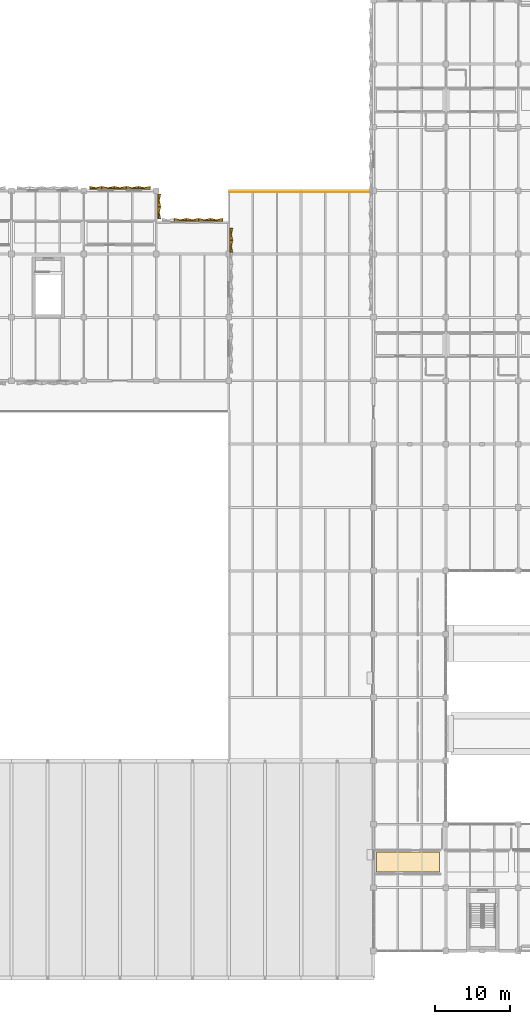
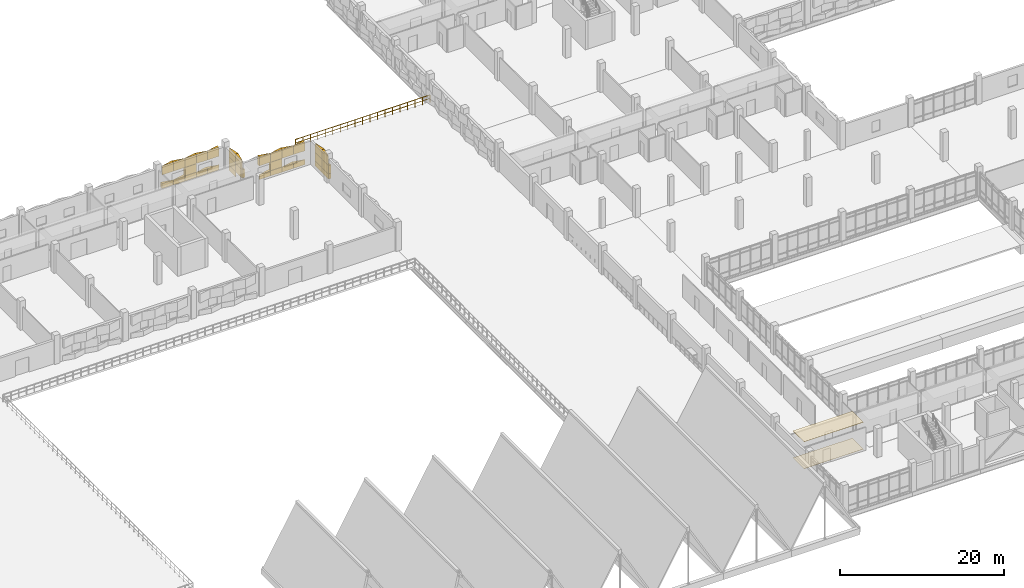
# One storey, part 77 of 86: 33 coverings, 1 railing.
"""IFC4 building model written with IfcOpenShell, lengths in metres."""

from ifc_helpers import new_model, si_unit, direction, frame, origin, origin_2d, place, context, subcontext, project, spatial, polyline, circle, outline, extrude, material, layer, layer_set, type_object, element, save


model = new_model("IFC4")

# Units and contexts
model_context = context("Model", 3, precision=1e-05, world=origin(), true_north=direction((0.0, 1.0)))
body_context = subcontext(model_context, "Body", "Model", "MODEL_VIEW")
ifc_project = project(units=[si_unit("LENGTHUNIT", "METRE"), si_unit("AREAUNIT", "SQUARE_METRE"), si_unit("VOLUMEUNIT", "CUBIC_METRE"), si_unit("PLANEANGLEUNIT", "RADIAN"), si_unit("MASSUNIT", "GRAM", prefix="KILO")], contexts=[model_context])

# Site, building, storey
site_placement = place(None, origin())
site = spatial("IfcSite", under=ifc_project, at=site_placement, CompositionType="ELEMENT")
building_placement = place(site_placement, origin())
building = spatial("IfcBuilding", under=site, at=building_placement, Name="Oolite Switchyard Hospital", CompositionType="ELEMENT")
storey_placement = place(building_placement, frame((0.0, 0.0, 13.5)))
storey = spatial("IfcBuildingStorey", under=building, at=storey_placement, Name="L03", CompositionType="ELEMENT", Elevation=13.5)

# Coverings
ifc_material_1 = material(Name="Hygienic washable mineral-fibre acoustic ceiling")
ifc_layer_1 = layer(ifc_material_1, 0.0400390625)
ifc_layer_set_1 = layer_set([ifc_layer_1], Name="COV-CEIL-AC60")
covering_type_1 = type_object("IfcCoveringType", Name="COV-CEIL-AC60", PredefinedType="CEILING", material=ifc_layer_set_1)
covering_1_placement = place(storey_placement, frame((0.0, 0.0, 3.985107421875)))
element("IfcCovering", 1, at=covering_1_placement, inside=storey, type_object=covering_type_1, Name="L03 Pediatric Outpatient Clinic Corridor Ceiling 1", PredefinedType="CEILING", context=body_context, shape_type="SweptSolid", body=[
    extrude(outline(polyline([(134.800048828125, 18.85009765625), (143.14306640625, 18.85009765625), (143.14306640625, 21.550048828125), (134.800048828125, 21.550048828125), (134.800048828125, 18.85009765625)])), origin(), (0.0, 0.0, 1.0), 0.039794921875),
])
ifc_material_2 = material(Name="Precast oolitic limestone architectural concrete C40/50", Category="masonry")
covering_type_2 = type_object("IfcCoveringType", Name="COV-CHEV-COOL", PredefinedType="CLADDING", material=ifc_material_2)
covering_2_placement = place(storey_placement, frame((108.0, 105.1298828125, 0.050048828125), z_axis=(0.0, 0.0, 1.0), x_axis=(1.0, 0.0, 0.0)))
element("IfcCovering", 2, at=covering_2_placement, inside=storey, type_object=covering_type_2, Name="L03 Chevron Precast Oolite Panel 179", PredefinedType="CLADDING", context=body_context, shape_type="SweptSolid", body=[
    extrude(outline(polyline([(0.0, 0.0), (1.60009765625, 0.0), (1.60009765625, 0.385009765625), (0.0, 0.044921875), (0.0, 0.0)])), origin(), (0.0, 0.0, 1.0), 0.760009765625),
])
covering_3_placement = place(storey_placement, frame((108.0, 105.1298828125, 2.090087890625), z_axis=(0.0, 0.0, 1.0), x_axis=(1.0, 0.0, 0.0)))
element("IfcCovering", 3, at=covering_3_placement, inside=storey, type_object=covering_type_2, Name="L03 Chevron Precast Oolite Panel 180", PredefinedType="CLADDING", context=body_context, shape_type="SweptSolid", body=[
    extrude(outline(polyline([(0.0, 0.0), (1.60009765625, 0.0), (1.60009765625, 0.044921875), (0.0, 0.385009765625), (0.0, 0.0)])), origin(), (0.0, 0.0, 1.0), 1.349853515625),
])
covering_4_placement = place(storey_placement, frame((109.60009765625, 105.1298828125, 0.050048828125), z_axis=(0.0, 0.0, 1.0), x_axis=(1.0, 0.0, 0.0)))
element("IfcCovering", 4, at=covering_4_placement, inside=storey, type_object=covering_type_2, Name="L03 Chevron Precast Oolite Panel 181", PredefinedType="CLADDING", context=body_context, shape_type="SweptSolid", body=[
    extrude(outline(polyline([(0.0, 0.0), (1.599853515625, 0.0), (1.599853515625, 0.044921875), (0.0, 0.385009765625), (0.0, 0.0)])), origin(), (0.0, 0.0, 1.0), 0.760009765625),
])
covering_5_placement = place(storey_placement, frame((109.60009765625, 105.1298828125, 2.090087890625), z_axis=(0.0, 0.0, 1.0), x_axis=(1.0, 0.0, 0.0)))
element("IfcCovering", 5, at=covering_5_placement, inside=storey, type_object=covering_type_2, Name="L03 Chevron Precast Oolite Panel 182", PredefinedType="CLADDING", context=body_context, shape_type="SweptSolid", body=[
    extrude(outline(polyline([(0.0, 0.0), (1.599853515625, 0.0), (1.599853515625, 0.385009765625), (0.0, 0.044921875), (0.0, 0.0)])), origin(), (0.0, 0.0, 1.0), 1.349853515625),
])
covering_6_placement = place(storey_placement, frame((109.60009765625, 105.1298828125, 0.830078125), z_axis=(0.0, 0.0, 1.0), x_axis=(1.0, 0.0, 0.0)))
element("IfcCovering", 6, at=covering_6_placement, inside=storey, type_object=covering_type_2, Name="L03 Chevron Precast Oolite Panel 183", PredefinedType="CLADDING", context=body_context, shape_type="SweptSolid", body=[
    extrude(outline(polyline([(0.0, 0.0), (1.599853515625, 0.0), (1.599853515625, 0.044921875), (0.0, 0.385009765625), (0.0, 0.0)])), origin(), (0.0, 0.0, 1.0), 1.239990234375),
])
covering_7_placement = place(storey_placement, frame((111.199951171875, 105.1298828125, 0.050048828125), z_axis=(0.0, 0.0, 1.0), x_axis=(1.0, 0.0, 0.0)))
element("IfcCovering", 7, at=covering_7_placement, inside=storey, type_object=covering_type_2, Name="L03 Chevron Precast Oolite Panel 184", PredefinedType="CLADDING", context=body_context, shape_type="SweptSolid", body=[
    extrude(outline(polyline([(0.0, 0.0), (1.60009765625, 0.0), (1.60009765625, 0.385009765625), (0.0, 0.044921875), (0.0, 0.0)])), origin(), (0.0, 0.0, 1.0), 0.760009765625),
])
covering_8_placement = place(storey_placement, frame((111.199951171875, 105.1298828125, 2.090087890625), z_axis=(0.0, 0.0, 1.0), x_axis=(1.0, 0.0, 0.0)))
element("IfcCovering", 8, at=covering_8_placement, inside=storey, type_object=covering_type_2, Name="L03 Chevron Precast Oolite Panel 185", PredefinedType="CLADDING", context=body_context, shape_type="SweptSolid", body=[
    extrude(outline(polyline([(0.0, 0.0), (1.60009765625, 0.0), (1.60009765625, 0.044921875), (0.0, 0.385009765625), (0.0, 0.0)])), origin(), (0.0, 0.0, 1.0), 1.349853515625),
])
covering_9_placement = place(storey_placement, frame((112.800048828125, 105.1298828125, 0.050048828125), z_axis=(0.0, 0.0, 1.0), x_axis=(1.0, 0.0, 0.0)))
element("IfcCovering", 9, at=covering_9_placement, inside=storey, type_object=covering_type_2, Name="L03 Chevron Precast Oolite Panel 186", PredefinedType="CLADDING", context=body_context, shape_type="SweptSolid", body=[
    extrude(outline(polyline([(0.0, 0.0), (1.599853515625, 0.0), (1.599853515625, 0.044921875), (0.0, 0.385009765625), (0.0, 0.0)])), origin(), (0.0, 0.0, 1.0), 0.760009765625),
])
covering_10_placement = place(storey_placement, frame((112.800048828125, 105.1298828125, 2.090087890625), z_axis=(0.0, 0.0, 1.0), x_axis=(1.0, 0.0, 0.0)))
element("IfcCovering", 10, at=covering_10_placement, inside=storey, type_object=covering_type_2, Name="L03 Chevron Precast Oolite Panel 187", PredefinedType="CLADDING", context=body_context, shape_type="SweptSolid", body=[
    extrude(outline(polyline([(0.0, 0.0), (1.599853515625, 0.0), (1.599853515625, 0.385009765625), (0.0, 0.044921875), (0.0, 0.0)])), origin(), (0.0, 0.0, 1.0), 1.349853515625),
])
covering_11_placement = place(storey_placement, frame((96.800048828125, 109.3798828125, 0.050048828125), z_axis=(0.0, 0.0, 1.0), x_axis=(1.0, 0.0, 0.0)))
element("IfcCovering", 11, at=covering_11_placement, inside=storey, type_object=covering_type_2, Name="L03 Chevron Precast Oolite Panel 232", PredefinedType="CLADDING", context=body_context, shape_type="SweptSolid", body=[
    extrude(outline(polyline([(0.0, 0.0), (1.599853515625, 0.0), (1.599853515625, 0.044921875), (0.0, 0.385009765625), (0.0, 0.0)])), origin(), (0.0, 0.0, 1.0), 0.760009765625),
])
covering_12_placement = place(storey_placement, frame((96.800048828125, 109.3798828125, 2.090087890625), z_axis=(0.0, 0.0, 1.0), x_axis=(1.0, 0.0, 0.0)))
element("IfcCovering", 12, at=covering_12_placement, inside=storey, type_object=covering_type_2, Name="L03 Chevron Precast Oolite Panel 233", PredefinedType="CLADDING", context=body_context, shape_type="SweptSolid", body=[
    extrude(outline(polyline([(0.0, 0.0), (1.599853515625, 0.0), (1.599853515625, 0.385009765625), (0.0, 0.044921875), (0.0, 0.0)])), origin(), (0.0, 0.0, 1.0), 1.349853515625),
])
covering_13_placement = place(storey_placement, frame((98.39990234375, 109.3798828125, 0.050048828125), z_axis=(0.0, 0.0, 1.0), x_axis=(1.0, 0.0, 0.0)))
element("IfcCovering", 13, at=covering_13_placement, inside=storey, type_object=covering_type_2, Name="L03 Chevron Precast Oolite Panel 234", PredefinedType="CLADDING", context=body_context, shape_type="SweptSolid", body=[
    extrude(outline(polyline([(0.0, 0.0), (1.60009765625, 0.0), (1.60009765625, 0.385009765625), (0.0, 0.044921875), (0.0, 0.0)])), origin(), (0.0, 0.0, 1.0), 0.760009765625),
])
covering_14_placement = place(storey_placement, frame((98.39990234375, 109.3798828125, 2.090087890625), z_axis=(0.0, 0.0, 1.0), x_axis=(1.0, 0.0, 0.0)))
element("IfcCovering", 14, at=covering_14_placement, inside=storey, type_object=covering_type_2, Name="L03 Chevron Precast Oolite Panel 235", PredefinedType="CLADDING", context=body_context, shape_type="SweptSolid", body=[
    extrude(outline(polyline([(0.0, 0.0), (1.60009765625, 0.0), (1.60009765625, 0.044921875), (0.0, 0.385009765625), (0.0, 0.0)])), origin(), (0.0, 0.0, 1.0), 1.349853515625),
])
covering_15_placement = place(storey_placement, frame((100.0, 109.3798828125, 0.050048828125), z_axis=(0.0, 0.0, 1.0), x_axis=(1.0, 0.0, 0.0)))
element("IfcCovering", 15, at=covering_15_placement, inside=storey, type_object=covering_type_2, Name="L03 Chevron Precast Oolite Panel 236", PredefinedType="CLADDING", context=body_context, shape_type="SweptSolid", body=[
    extrude(outline(polyline([(0.0, 0.0), (1.60009765625, 0.0), (1.60009765625, 0.044921875), (0.0, 0.385009765625), (0.0, 0.0)])), origin(), (0.0, 0.0, 1.0), 0.760009765625),
])
covering_16_placement = place(storey_placement, frame((100.0, 109.3798828125, 2.090087890625), z_axis=(0.0, 0.0, 1.0), x_axis=(1.0, 0.0, 0.0)))
element("IfcCovering", 16, at=covering_16_placement, inside=storey, type_object=covering_type_2, Name="L03 Chevron Precast Oolite Panel 237", PredefinedType="CLADDING", context=body_context, shape_type="SweptSolid", body=[
    extrude(outline(polyline([(0.0, 0.0), (1.60009765625, 0.0), (1.60009765625, 0.385009765625), (0.0, 0.044921875), (0.0, 0.0)])), origin(), (0.0, 0.0, 1.0), 1.349853515625),
])
covering_17_placement = place(storey_placement, frame((100.0, 109.3798828125, 0.830078125), z_axis=(0.0, 0.0, 1.0), x_axis=(1.0, 0.0, 0.0)))
element("IfcCovering", 17, at=covering_17_placement, inside=storey, type_object=covering_type_2, Name="L03 Chevron Precast Oolite Panel 238", PredefinedType="CLADDING", context=body_context, shape_type="SweptSolid", body=[
    extrude(outline(polyline([(0.0, 0.0), (1.60009765625, 0.0), (1.60009765625, 0.044921875), (0.0, 0.385009765625), (0.0, 0.0)])), origin(), (0.0, 0.0, 1.0), 1.239990234375),
])
covering_18_placement = place(storey_placement, frame((101.60009765625, 109.3798828125, 0.050048828125), z_axis=(0.0, 0.0, 1.0), x_axis=(1.0, 0.0, 0.0)))
element("IfcCovering", 18, at=covering_18_placement, inside=storey, type_object=covering_type_2, Name="L03 Chevron Precast Oolite Panel 239", PredefinedType="CLADDING", context=body_context, shape_type="SweptSolid", body=[
    extrude(outline(polyline([(0.0, 0.0), (1.599853515625, 0.0), (1.599853515625, 0.385009765625), (0.0, 0.044921875), (0.0, 0.0)])), origin(), (0.0, 0.0, 1.0), 0.760009765625),
])
covering_19_placement = place(storey_placement, frame((101.60009765625, 109.3798828125, 2.090087890625), z_axis=(0.0, 0.0, 1.0), x_axis=(1.0, 0.0, 0.0)))
element("IfcCovering", 19, at=covering_19_placement, inside=storey, type_object=covering_type_2, Name="L03 Chevron Precast Oolite Panel 240", PredefinedType="CLADDING", context=body_context, shape_type="SweptSolid", body=[
    extrude(outline(polyline([(0.0, 0.0), (1.599853515625, 0.0), (1.599853515625, 0.044921875), (0.0, 0.385009765625), (0.0, 0.0)])), origin(), (0.0, 0.0, 1.0), 1.349853515625),
])
covering_20_placement = place(storey_placement, frame((103.199951171875, 109.3798828125, 0.050048828125), z_axis=(0.0, 0.0, 1.0), x_axis=(1.0, 0.0, 0.0)))
element("IfcCovering", 20, at=covering_20_placement, inside=storey, type_object=covering_type_2, Name="L03 Chevron Precast Oolite Panel 241", PredefinedType="CLADDING", context=body_context, shape_type="SweptSolid", body=[
    extrude(outline(polyline([(0.0, 0.0), (1.60009765625, 0.0), (1.60009765625, 0.044921875), (0.0, 0.385009765625), (0.0, 0.0)])), origin(), (0.0, 0.0, 1.0), 0.760009765625),
])
covering_21_placement = place(storey_placement, frame((103.199951171875, 109.3798828125, 2.090087890625), z_axis=(0.0, 0.0, 1.0), x_axis=(1.0, 0.0, 0.0)))
element("IfcCovering", 21, at=covering_21_placement, inside=storey, type_object=covering_type_2, Name="L03 Chevron Precast Oolite Panel 242", PredefinedType="CLADDING", context=body_context, shape_type="SweptSolid", body=[
    extrude(outline(polyline([(0.0, 0.0), (1.60009765625, 0.0), (1.60009765625, 0.385009765625), (0.0, 0.044921875), (0.0, 0.0)])), origin(), (0.0, 0.0, 1.0), 1.349853515625),
])
covering_22_placement = place(storey_placement, frame((105.7900390625, 108.699951171875, 0.050048828125), z_axis=(0.0, 0.0, 1.0), x_axis=(0.0, -1.0, 0.0)))
element("IfcCovering", 22, at=covering_22_placement, inside=storey, type_object=covering_type_2, Name="L03 Chevron Precast Oolite Panel 429", PredefinedType="CLADDING", context=body_context, shape_type="SweptSolid", body=[
    extrude(outline(polyline([(0.0, 0.0), (1.599853515625, 0.0), (1.599853515625, 0.044921875), (0.0, 0.385009765625), (0.0, 0.0)])), origin(), (0.0, 0.0, 1.0), 0.760009765625),
])
covering_23_placement = place(storey_placement, frame((105.7900390625, 108.699951171875, 2.090087890625), z_axis=(0.0, 0.0, 1.0), x_axis=(0.0, -1.0, 0.0)))
element("IfcCovering", 23, at=covering_23_placement, inside=storey, type_object=covering_type_2, Name="L03 Chevron Precast Oolite Panel 430", PredefinedType="CLADDING", context=body_context, shape_type="SweptSolid", body=[
    extrude(outline(polyline([(0.0, 0.0), (1.599853515625, 0.0), (1.599853515625, 0.385009765625), (0.0, 0.044921875), (0.0, 0.0)])), origin(), (0.0, 0.0, 1.0), 1.349853515625),
])
covering_24_placement = place(storey_placement, frame((105.7900390625, 108.699951171875, 0.830078125), z_axis=(0.0, 0.0, 1.0), x_axis=(0.0, -1.0, 0.0)))
element("IfcCovering", 24, at=covering_24_placement, inside=storey, type_object=covering_type_2, Name="L03 Chevron Precast Oolite Panel 431", PredefinedType="CLADDING", context=body_context, shape_type="SweptSolid", body=[
    extrude(outline(polyline([(0.0, 0.0), (1.599853515625, 0.0), (1.599853515625, 0.044921875), (0.0, 0.385009765625), (0.0, 0.0)])), origin(), (0.0, 0.0, 1.0), 1.239990234375),
])
covering_25_placement = place(storey_placement, frame((105.7900390625, 107.10009765625, 2.090087890625), z_axis=(0.0, 0.0, 1.0), x_axis=(0.0, -1.0, 0.0)))
element("IfcCovering", 25, at=covering_25_placement, inside=storey, type_object=covering_type_2, Name="L03 Chevron Precast Oolite Panel 433", PredefinedType="CLADDING", context=body_context, shape_type="SweptSolid", body=[
    extrude(outline(polyline([(0.0, 0.0), (1.60009765625, 0.0), (1.60009765625, 0.044921875), (0.0, 0.385009765625), (0.0, 0.0)])), origin(), (0.0, 0.0, 1.0), 1.349853515625),
])
covering_26_placement = place(storey_placement, frame((105.7900390625, 107.10009765625, 0.830078125), z_axis=(0.0, 0.0, 1.0), x_axis=(0.0, -1.0, 0.0)))
element("IfcCovering", 26, at=covering_26_placement, inside=storey, type_object=covering_type_2, Name="L03 Chevron Precast Oolite Panel 434", PredefinedType="CLADDING", context=body_context, shape_type="SweptSolid", body=[
    extrude(outline(polyline([(0.0, 0.0), (1.60009765625, 0.0), (1.60009765625, 0.385009765625), (0.0, 0.044921875), (0.0, 0.0)])), origin(), (0.0, 0.0, 1.0), 1.239990234375),
])
covering_27_placement = place(storey_placement, frame((115.340087890625, 104.219970703125, 0.050048828125), z_axis=(0.0, 0.0, 1.0), x_axis=(0.0, -1.0, 0.0)))
element("IfcCovering", 27, at=covering_27_placement, inside=storey, type_object=covering_type_2, Name="L03 Chevron Precast Oolite Panel 445", PredefinedType="CLADDING", context=body_context, shape_type="SweptSolid", body=[
    extrude(outline(polyline([(0.0, 0.0), (1.599853515625, 0.0), (1.599853515625, 0.044921875), (0.0, 0.385009765625), (0.0, 0.0)])), origin(), (0.0, 0.0, 1.0), 0.760009765625),
])
covering_28_placement = place(storey_placement, frame((115.340087890625, 104.219970703125, 2.090087890625), z_axis=(0.0, 0.0, 1.0), x_axis=(0.0, -1.0, 0.0)))
element("IfcCovering", 28, at=covering_28_placement, inside=storey, type_object=covering_type_2, Name="L03 Chevron Precast Oolite Panel 446", PredefinedType="CLADDING", context=body_context, shape_type="SweptSolid", body=[
    extrude(outline(polyline([(0.0, 0.0), (1.599853515625, 0.0), (1.599853515625, 0.385009765625), (0.0, 0.044921875), (0.0, 0.0)])), origin(), (0.0, 0.0, 1.0), 1.349853515625),
])
covering_29_placement = place(storey_placement, frame((115.340087890625, 104.219970703125, 0.830078125), z_axis=(0.0, 0.0, 1.0), x_axis=(0.0, -1.0, 0.0)))
element("IfcCovering", 29, at=covering_29_placement, inside=storey, type_object=covering_type_2, Name="L03 Chevron Precast Oolite Panel 447", PredefinedType="CLADDING", context=body_context, shape_type="SweptSolid", body=[
    extrude(outline(polyline([(0.0, 0.0), (1.599853515625, 0.0), (1.599853515625, 0.044921875), (0.0, 0.385009765625), (0.0, 0.0)])), origin(), (0.0, 0.0, 1.0), 1.239990234375),
])
covering_30_placement = place(storey_placement, frame((115.340087890625, 102.6201171875, 0.050048828125), z_axis=(0.0, 0.0, 1.0), x_axis=(0.0, -1.0, 0.0)))
element("IfcCovering", 30, at=covering_30_placement, inside=storey, type_object=covering_type_2, Name="L03 Chevron Precast Oolite Panel 448", PredefinedType="CLADDING", context=body_context, shape_type="SweptSolid", body=[
    extrude(outline(polyline([(0.0, 0.0), (1.60009765625, 0.0), (1.60009765625, 0.385009765625), (0.0, 0.044921875), (0.0, 0.0)])), origin(), (0.0, 0.0, 1.0), 0.760009765625),
])
covering_31_placement = place(storey_placement, frame((115.340087890625, 102.6201171875, 2.090087890625), z_axis=(0.0, 0.0, 1.0), x_axis=(0.0, -1.0, 0.0)))
element("IfcCovering", 31, at=covering_31_placement, inside=storey, type_object=covering_type_2, Name="L03 Chevron Precast Oolite Panel 449", PredefinedType="CLADDING", context=body_context, shape_type="SweptSolid", body=[
    extrude(outline(polyline([(0.0, 0.0), (1.60009765625, 0.0), (1.60009765625, 0.044921875), (0.0, 0.385009765625), (0.0, 0.0)])), origin(), (0.0, 0.0, 1.0), 1.349853515625),
])
covering_32_placement = place(storey_placement, frame((115.340087890625, 102.6201171875, 0.830078125), z_axis=(0.0, 0.0, 1.0), x_axis=(0.0, -1.0, 0.0)))
element("IfcCovering", 32, at=covering_32_placement, inside=storey, type_object=covering_type_2, Name="L03 Chevron Precast Oolite Panel 450", PredefinedType="CLADDING", context=body_context, shape_type="SweptSolid", body=[
    extrude(outline(polyline([(0.0, 0.0), (1.60009765625, 0.0), (1.60009765625, 0.385009765625), (0.0, 0.044921875), (0.0, 0.0)])), origin(), (0.0, 0.0, 1.0), 1.239990234375),
])
ifc_material_3 = material(Name="Epoxy terrazzo seamless clinical flooring")
ifc_layer_2 = layer(ifc_material_3, 0.02001953125)
ifc_layer_set_2 = layer_set([ifc_layer_2], Name="COV-FLR-TER20")
covering_type_3 = type_object("IfcCoveringType", Name="COV-FLR-TER20", PredefinedType="FLOORING", material=ifc_layer_set_2)
covering_33_placement = place(storey_placement, origin())
element("IfcCovering", 33, at=covering_33_placement, inside=storey, type_object=covering_type_3, Name="L03 Pediatric Outpatient Clinic Corridor Flooring 1", PredefinedType="FLOORING", context=body_context, shape_type="SweptSolid", body=[
    extrude(outline(polyline([(134.800048828125, 18.85009765625), (143.14306640625, 18.85009765625), (143.14306640625, 21.550048828125), (134.800048828125, 21.550048828125), (134.800048828125, 18.85009765625)])), origin(), (0.0, 0.0, 1.0), 0.02001953125),
])

# Railing
ifc_material_4 = material(Name="Galvanized painted architectural steel guardrail", Category="steel")
railing_type = type_object("IfcRailingType", Name="RL-GUARD-110", PredefinedType="GUARDRAIL", material=ifc_material_4)
railing_placement = place(storey_placement, frame((115.35009765625, 109.050048828125, 0.0)))
element("IfcRailing", 34, at=railing_placement, inside=storey, type_object=railing_type, Name="L03 Terrace Perimeter Guard 7", PredefinedType="GUARDRAIL", context=body_context, shape_type="SweptSolid", body=[
    extrude(circle(Radius=0.02392578125, at=origin_2d()), frame((0.0, 0.0, 1.076171875), z_axis=(1.0, 0.0, 0.0), x_axis=(0.0, 1.0, 0.0)), (0.0, 0.0, 1.0), 18.89990234375),
    extrude(circle(Radius=0.015625, at=origin_2d()), frame((0.0, 0.0, 0.550048828125), z_axis=(1.0, 0.0, 0.0), x_axis=(0.0, 1.0, 0.0)), (0.0, 0.0, 1.0), 18.89990234375),
    extrude(circle(Radius=0.02099609375, at=origin_2d()), origin(), (0.0, 0.0, 1.0), 1.052001953125),
    extrude(circle(Radius=0.02099609375, at=origin_2d()), frame((1.050048828125, 0.0, 0.0)), (0.0, 0.0, 1.0), 1.052001953125),
    extrude(circle(Radius=0.02099609375, at=origin_2d()), frame((2.10009765625, 0.0, 0.0)), (0.0, 0.0, 1.0), 1.052001953125),
    extrude(circle(Radius=0.02099609375, at=origin_2d()), frame((3.14990234375, 0.0, 0.0)), (0.0, 0.0, 1.0), 1.052001953125),
    extrude(circle(Radius=0.02099609375, at=origin_2d()), frame((4.199951171875, 0.0, 0.0)), (0.0, 0.0, 1.0), 1.052001953125),
    extrude(circle(Radius=0.02099609375, at=origin_2d()), frame((5.25, 0.0, 0.0)), (0.0, 0.0, 1.0), 1.052001953125),
    extrude(circle(Radius=0.02099609375, at=origin_2d()), frame((6.300048828125, 0.0, 0.0)), (0.0, 0.0, 1.0), 1.052001953125),
    extrude(circle(Radius=0.02099609375, at=origin_2d()), frame((7.349853515625, 0.0, 0.0)), (0.0, 0.0, 1.0), 1.052001953125),
    extrude(circle(Radius=0.02099609375, at=origin_2d()), frame((8.39990234375, 0.0, 0.0)), (0.0, 0.0, 1.0), 1.052001953125),
    extrude(circle(Radius=0.02099609375, at=origin_2d()), frame((9.449951171875, 0.0, 0.0)), (0.0, 0.0, 1.0), 1.052001953125),
    extrude(circle(Radius=0.02099609375, at=origin_2d()), frame((10.5, 0.0, 0.0)), (0.0, 0.0, 1.0), 1.052001953125),
    extrude(circle(Radius=0.02099609375, at=origin_2d()), frame((11.550048828125, 0.0, 0.0)), (0.0, 0.0, 1.0), 1.052001953125),
    extrude(circle(Radius=0.02099609375, at=origin_2d()), frame((12.599853515625, 0.0, 0.0)), (0.0, 0.0, 1.0), 1.052001953125),
    extrude(circle(Radius=0.02099609375, at=origin_2d()), frame((13.64990234375, 0.0, 0.0)), (0.0, 0.0, 1.0), 1.052001953125),
    extrude(circle(Radius=0.02099609375, at=origin_2d()), frame((14.699951171875, 0.0, 0.0)), (0.0, 0.0, 1.0), 1.052001953125),
    extrude(circle(Radius=0.02099609375, at=origin_2d()), frame((15.75, 0.0, 0.0)), (0.0, 0.0, 1.0), 1.052001953125),
    extrude(circle(Radius=0.02099609375, at=origin_2d()), frame((16.7998046875, 0.0, 0.0)), (0.0, 0.0, 1.0), 1.052001953125),
    extrude(circle(Radius=0.02099609375, at=origin_2d()), frame((17.849853515625, 0.0, 0.0)), (0.0, 0.0, 1.0), 1.052001953125),
    extrude(circle(Radius=0.02099609375, at=origin_2d()), frame((18.89990234375, 0.0, 0.0)), (0.0, 0.0, 1.0), 1.052001953125),
])

save(model, "model.ifc")
